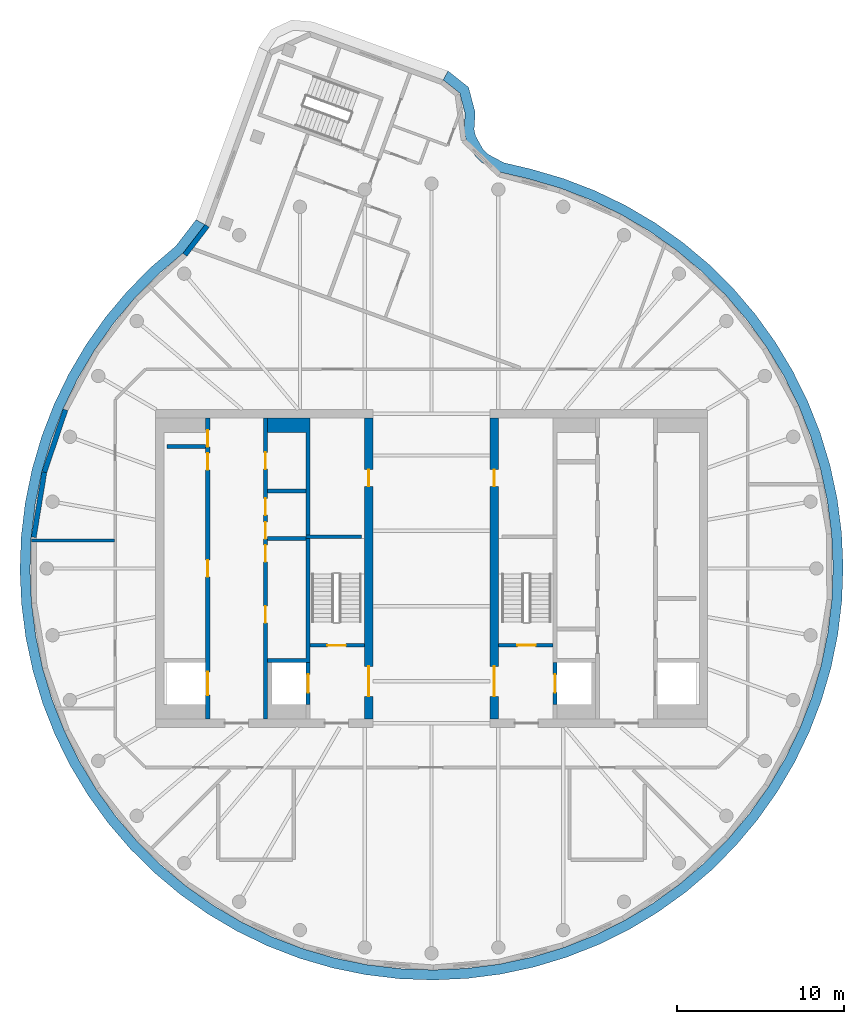
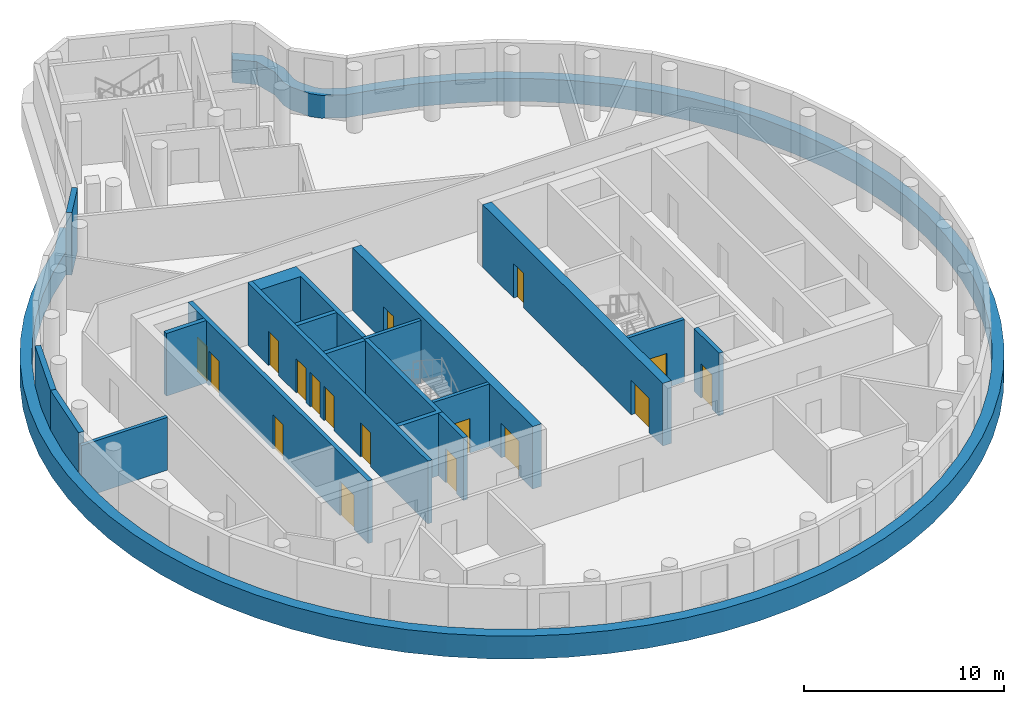
# One storey, part 3 of 7: 17 doors, 17 walls, 1 member, 17 openings.
"""IFC4 building model written with IfcOpenShell, lengths in metres."""

from ifc_helpers import new_model, si_unit, direction, frame, frame_2d, origin, place, context, subcontext, project, spatial, polyline, rectangle, outline, extrude, material, layer, layer_set, type_object, element, fill, aggregate, save


model = new_model("IFC4")

# Units and contexts
model_context = context("Model", 3, precision=1e-05, world=origin(), true_north=direction((0.0, 1.0)))
body_context = subcontext(model_context, "Body", "Model", "MODEL_VIEW")
ifc_project = project(units=[si_unit("LENGTHUNIT", "METRE"), si_unit("AREAUNIT", "SQUARE_METRE"), si_unit("VOLUMEUNIT", "CUBIC_METRE"), si_unit("PLANEANGLEUNIT", "RADIAN"), si_unit("MASSUNIT", "GRAM", prefix="KILO")], contexts=[model_context])

# Member
ifc_material_1 = material(Name="Aluminium and insulated spandrel panel", Category="aluminium")
member_type = type_object("IfcMemberType", Name="Floor-edge blade transom", PredefinedType="USERDEFINED", material=ifc_material_1)
site_placement = place(None, origin())
building_placement = place(site_placement, origin())
storey_placement = place(building_placement, frame((0.0, 0.0, 309.39990234375)))
member_placement = place(storey_placement, origin())
member = element("IfcMember", 1, at=member_placement, type_object=member_type, Name="CWT-L76-02", ObjectType="TRANSOM", PredefinedType="USERDEFINED", context=body_context, shape_type="SweptSolid", body=[
    extrude(outline(polyline([(-13.54248046875, 20.54736328125), (-14.847900390625, 18.848876953125), (-16.327880859375, 17.584228515625), (-17.72412109375, 16.17578125), (-18.99951171875, 14.656982421875), (-20.14501953125, 13.0380859375), (-21.15283203125, 11.329833984375), (-22.01611328125, 9.54443359375), (-22.72900390625, 7.69384765625), (-23.286865234375, 5.79052734375), (-23.685546875, 3.84765625), (-23.92236328125, 1.878662109375), (-23.995849609375, -0.103271484375), (-23.9052734375, -2.08447265625), (-23.6513671875, -4.051513671875), (-23.236083984375, -5.99072265625), (-22.662109375, -7.88916015625), (-21.93310546875, -9.733642578125), (-21.054443359375, -11.511474609375), (-20.031982421875, -13.2109375), (-18.87255859375, -14.820068359375), (-17.584228515625, -16.327880859375), (-16.17578125, -17.72412109375), (-14.656982421875, -18.99951171875), (-13.0380859375, -20.14501953125), (-11.329833984375, -21.15283203125), (-9.54443359375, -22.01611328125), (-7.69384765625, -22.72900390625), (-5.79052734375, -23.286865234375), (-3.84765625, -23.685546875), (-1.878662109375, -23.92236328125), (0.103271484375, -23.995849609375), (2.08447265625, -23.9052734375), (4.051513671875, -23.6513671875), (5.99072265625, -23.236083984375), (7.88916015625, -22.662109375), (9.733642578125, -21.93310546875), (11.511474609375, -21.054443359375), (13.2109375, -20.031982421875), (14.820068359375, -18.87255859375), (16.327880859375, -17.584228515625), (17.72412109375, -16.17578125), (18.99951171875, -14.656982421875), (20.14501953125, -13.0380859375), (21.15283203125, -11.329833984375), (22.01611328125, -9.54443359375), (22.72900390625, -7.69384765625), (23.286865234375, -5.79052734375), (23.685546875, -3.84765625), (23.92236328125, -1.878662109375), (23.995849609375, 0.103271484375), (23.9052734375, 2.08447265625), (23.6513671875, 4.051513671875), (23.236083984375, 5.99072265625), (22.662109375, 7.88916015625), (21.93310546875, 9.733642578125), (21.054443359375, 11.511474609375), (20.031982421875, 13.2109375), (18.87255859375, 14.820068359375), (17.584228515625, 16.327880859375), (16.17578125, 17.72412109375), (14.656982421875, 18.99951171875), (13.0380859375, 20.14501953125), (11.329833984375, 21.15283203125), (9.54443359375, 22.01611328125), (7.69384765625, 22.72900390625), (5.79052734375, 23.286865234375), (4.106689453125, 23.68115234375), (2.99658203125, 24.276123046875), (2.603515625, 24.663330078125), (2.0615234375, 25.6376953125), (1.940185546875, 26.176025390625), (2.004638671875, 27.190673828125), (1.6826171875, 28.412353515625), (0.692626953125, 29.197021484375), (0.9892578125, 29.7275390625), (2.2119140625, 28.75830078125), (2.609619140625, 27.249755859375), (2.54443359375, 26.223876953125), (2.6279296875, 25.85400390625), (3.0859375, 25.0302734375), (3.356201171875, 24.76416015625), (4.3203125, 24.247314453125), (5.943359375, 23.8671875), (7.88623046875, 23.2978515625), (9.783203125, 22.567138671875), (11.613525390625, 21.68212890625), (13.3642578125, 20.64892578125), (15.023681640625, 19.474853515625), (16.580810546875, 18.167724609375), (18.0244140625, 16.736572265625), (19.344970703125, 15.19091796875), (20.533203125, 13.54150390625), (21.581298828125, 11.799560546875), (22.482177734375, 9.97705078125), (23.229248046875, 8.08642578125), (23.817626953125, 6.140625), (24.243408203125, 4.15283203125), (24.50341796875, 2.13671875), (24.59619140625, 0.10595703125), (24.52099609375, -1.925537109375), (24.2783203125, -3.944091796875), (23.86962890625, -5.935302734375), (23.2978515625, -7.88623046875), (22.567138671875, -9.783203125), (21.68212890625, -11.613525390625), (20.64892578125, -13.3642578125), (19.474853515625, -15.023681640625), (18.167724609375, -16.580810546875), (16.736572265625, -18.0244140625), (15.19091796875, -19.344970703125), (13.54150390625, -20.533203125), (11.799560546875, -21.581298828125), (9.97705078125, -22.482177734375), (8.08642578125, -23.229248046875), (6.140625, -23.817626953125), (4.15283203125, -24.243408203125), (2.13671875, -24.50341796875), (0.10595703125, -24.59619140625), (-1.925537109375, -24.52099609375), (-3.944091796875, -24.2783203125), (-5.935302734375, -23.86962890625), (-7.88623046875, -23.2978515625), (-9.783203125, -22.567138671875), (-11.613525390625, -21.68212890625), (-13.3642578125, -20.64892578125), (-15.023681640625, -19.474853515625), (-16.580810546875, -18.167724609375), (-18.0244140625, -16.736572265625), (-19.344970703125, -15.19091796875), (-20.533203125, -13.54150390625), (-21.581298828125, -11.799560546875), (-22.482177734375, -9.97705078125), (-23.229248046875, -8.08642578125), (-23.817626953125, -6.140625), (-24.243408203125, -4.15283203125), (-24.50341796875, -2.13671875), (-24.59619140625, -0.10595703125), (-24.52099609375, 1.925537109375), (-24.2783203125, 3.944091796875), (-23.86962890625, 5.935302734375), (-23.2978515625, 7.88623046875), (-22.567138671875, 9.783203125), (-21.68212890625, 11.613525390625), (-20.64892578125, 13.3642578125), (-19.474853515625, 15.023681640625), (-18.167724609375, 16.580810546875), (-16.736572265625, 18.0244140625), (-15.285400390625, 19.264404296875), (-14.07470703125, 20.839599609375), (-13.54248046875, 20.54736328125)])), origin(), (0.0, 0.0, 1.0), 1.400146484375),
])

# Site, building, storey
site = spatial("IfcSite", under=ifc_project, at=site_placement, CompositionType="ELEMENT")
building = spatial("IfcBuilding", under=site, at=building_placement, Name="Tamarind Cross Interchange Tower", CompositionType="ELEMENT")
storey = spatial("IfcBuildingStorey", under=building, at=storey_placement, Name="L76", CompositionType="ELEMENT", Elevation=309.39990234375)

# Wall, openings, doors
ifc_material_2 = material(Name="Concrete C50", Category="concrete")
ifc_layer_1 = layer(ifc_material_2, 0.5)
ifc_layer_set_1 = layer_set([ifc_layer_1], Name="Concrete C50")
wall_type_1 = type_object("IfcWallType", Name="Core wall 500 mm Concrete C50", PredefinedType="SHEAR", material=ifc_layer_set_1)
wall_1_placement = place(storey_placement, frame((-3.75, -9.0, 0.0), z_axis=(0.0, 0.0, 1.0), x_axis=(0.0, 1.0, 0.0)))
wall_1 = element("IfcWall", 2, at=wall_1_placement, inside=storey, type_object=wall_type_1, Name="Core wall CWL-L76-W-IN", PredefinedType="SHEAR", context=body_context, shape_type="SweptSolid", body=[
    extrude(rectangle(XDim=18.0, YDim=0.5, at=frame_2d((9.0, 0.0))), origin(), (0.0, 0.0, 1.0), 3.820068359375),
])
opening_1_placement = place(wall_1_placement, frame((1.35009765625, 0.0, 0.0)))
opening_1 = element("IfcOpeningElement", 3, at=opening_1_placement, cuts=wall_1, Name="Opening DCW4", PredefinedType="OPENING", context=body_context, shape_type="SweptSolid", body=[
    extrude(rectangle(XDim=1.800048828125, YDim=2.10009765625, at=frame_2d((0.89990234375, 1.050048828125))), frame((0.0, 0.260009765625, 0.0), z_axis=(0.0, -1.0, 0.0), x_axis=(1.0, 0.0, 0.0)), (0.0, 0.0, 1.0), 0.52001953125),
])
opening_2_placement = place(wall_1_placement, frame((13.89990234375, 0.0, 0.0)))
opening_2 = element("IfcOpeningElement", 4, at=opening_2_placement, cuts=wall_1, Name="Opening DCW5", PredefinedType="OPENING", context=body_context, shape_type="SweptSolid", body=[
    extrude(rectangle(XDim=1.0, YDim=2.10009765625, at=frame_2d((0.5, 1.050048828125))), frame((0.0, 0.260009765625, 0.0), z_axis=(0.0, -1.0, 0.0), x_axis=(1.0, 0.0, 0.0)), (0.0, 0.0, 1.0), 0.52001953125),
])
ifc_material_3 = material(Name="Steel, fire-resisting", Category="steel")
door_type_1 = type_object("IfcDoorType", Name="Core fire door 1000 x 2100 FD90", OperationType="SINGLE_SWING_LEFT", PredefinedType="DOOR", material=ifc_material_3)
door_1_placement = place(opening_2_placement, origin())
door_1 = element("IfcDoor", 5, at=door_1_placement, inside=storey, type_object=door_type_1, Name="L76 riser room door", OperationType="SINGLE_SWING_LEFT", OverallHeight=2.10009765625, OverallWidth=1.0, PredefinedType="DOOR", context=body_context, shape_type="SweptSolid", body=[
    extrude(rectangle(XDim=1.0, YDim=2.10009765625, at=frame_2d((0.5, 1.050048828125))), frame((0.0, 0.02490234375, 0.0), z_axis=(0.0, -1.0, 0.0), x_axis=(1.0, 0.0, 0.0)), (0.0, 0.0, 1.0), 0.050048828125),
])
fill(opening_2, door_1)
door_type_2 = type_object("IfcDoorType", Name="Core fire door 1800 x 2100 FD90", OperationType="SINGLE_SWING_LEFT", PredefinedType="DOOR", material=ifc_material_3)
door_2_placement = place(opening_1_placement, origin())
door_2 = element("IfcDoor", 6, at=door_2_placement, inside=storey, type_object=door_type_2, Name="L76 firefighting lobby door", OperationType="SINGLE_SWING_LEFT", OverallHeight=2.10009765625, OverallWidth=1.800048828125, PredefinedType="DOOR", context=body_context, shape_type="SweptSolid", body=[
    extrude(rectangle(XDim=1.800048828125, YDim=2.10009765625, at=frame_2d((0.89990234375, 1.050048828125))), frame((0.0, 0.02490234375, 0.0), z_axis=(0.0, -1.0, 0.0), x_axis=(1.0, 0.0, 0.0)), (0.0, 0.0, 1.0), 0.050048828125),
])
fill(opening_1, door_2)

wall_2_placement = place(storey_placement, frame((3.75, -9.0, 0.0), z_axis=(0.0, 0.0, 1.0), x_axis=(0.0, 1.0, 0.0)))
wall_2 = element("IfcWall", 7, at=wall_2_placement, inside=storey, type_object=wall_type_1, Name="Core wall CWL-L76-E-IN", PredefinedType="SHEAR", context=body_context, shape_type="SweptSolid", body=[
    extrude(rectangle(XDim=18.0, YDim=0.5, at=frame_2d((9.0, 0.0))), origin(), (0.0, 0.0, 1.0), 3.820068359375),
])
opening_3_placement = place(wall_2_placement, frame((1.35009765625, 0.0, 0.0)))
opening_3 = element("IfcOpeningElement", 8, at=opening_3_placement, cuts=wall_2, Name="Opening DCE4", PredefinedType="OPENING", context=body_context, shape_type="SweptSolid", body=[
    extrude(rectangle(XDim=1.800048828125, YDim=2.10009765625, at=frame_2d((0.89990234375, 1.050048828125))), frame((0.0, 0.260009765625, 0.0), z_axis=(0.0, -1.0, 0.0), x_axis=(1.0, 0.0, 0.0)), (0.0, 0.0, 1.0), 0.52001953125),
])
opening_4_placement = place(wall_2_placement, frame((13.89990234375, 0.0, 0.0)))
opening_4 = element("IfcOpeningElement", 9, at=opening_4_placement, cuts=wall_2, Name="Opening DCE5", PredefinedType="OPENING", context=body_context, shape_type="SweptSolid", body=[
    extrude(rectangle(XDim=1.0, YDim=2.10009765625, at=frame_2d((0.5, 1.050048828125))), frame((0.0, 0.260009765625, 0.0), z_axis=(0.0, -1.0, 0.0), x_axis=(1.0, 0.0, 0.0)), (0.0, 0.0, 1.0), 0.52001953125),
])
door_3_placement = place(opening_4_placement, origin())
door_3 = element("IfcDoor", 10, at=door_3_placement, inside=storey, type_object=door_type_1, Name="L76 riser room door", OperationType="SINGLE_SWING_LEFT", OverallHeight=2.10009765625, OverallWidth=1.0, PredefinedType="DOOR", context=body_context, shape_type="SweptSolid", body=[
    extrude(rectangle(XDim=1.0, YDim=2.10009765625, at=frame_2d((0.5, 1.050048828125))), frame((0.0, 0.02490234375, 0.0), z_axis=(0.0, -1.0, 0.0), x_axis=(1.0, 0.0, 0.0)), (0.0, 0.0, 1.0), 0.050048828125),
])
fill(opening_4, door_3)
door_4_placement = place(opening_3_placement, origin())
door_4 = element("IfcDoor", 11, at=door_4_placement, inside=storey, type_object=door_type_2, Name="L76 firefighting lobby door", OperationType="SINGLE_SWING_LEFT", OverallHeight=2.10009765625, OverallWidth=1.800048828125, PredefinedType="DOOR", context=body_context, shape_type="SweptSolid", body=[
    extrude(rectangle(XDim=1.800048828125, YDim=2.10009765625, at=frame_2d((0.89990234375, 1.050048828125))), frame((0.0, 0.02490234375, 0.0), z_axis=(0.0, -1.0, 0.0), x_axis=(1.0, 0.0, 0.0)), (0.0, 0.0, 1.0), 0.050048828125),
])
fill(opening_3, door_4)

# Walls
ifc_layer_2 = layer(ifc_material_2, 0.199951171875)
ifc_layer_set_2 = layer_set([ifc_layer_2], Name="Concrete C50")
wall_type_2 = type_object("IfcWallType", Name="Core web wall 200 mm Concrete C50", PredefinedType="SHEAR", material=ifc_layer_set_2)
wall_3_placement = place(storey_placement, frame((-7.5, 1.89990234375, 0.0), z_axis=(0.0, 0.0, 1.0), x_axis=(1.0, 0.0, 0.0)))
element("IfcWall", 12, at=wall_3_placement, inside=storey, type_object=wall_type_2, Name="Core wall CWL-L76-W-BD", PredefinedType="SHEAR", context=body_context, shape_type="SweptSolid", body=[
    extrude(rectangle(XDim=3.300048828125, YDim=0.199951171875, at=frame_2d((1.64990234375, 0.0))), origin(), (0.0, 0.0, 1.0), 3.820068359375),
])
ifc_layer_3 = layer(ifc_material_2, 0.25)
ifc_layer_set_3 = layer_set([ifc_layer_3], Name="Concrete C50")
wall_type_3 = type_object("IfcWallType", Name="Core web wall 250 mm Concrete C50", PredefinedType="SHEAR", material=ifc_layer_set_3)
wall_4_placement = place(storey_placement, origin())
element("IfcWall", 13, at=wall_4_placement, inside=storey, type_object=wall_type_3, Name="Core wall CWL-L76-W-BN", PredefinedType="SHEAR", context=body_context, shape_type="SweptSolid", body=[
    extrude(outline(polyline([(-9.800048828125, -5.625), (-7.5, -5.625), (-7.25, -5.625), (-7.25, 9.0), (-7.5, 9.0), (-9.800048828125, 9.0), (-9.800048828125, 8.125), (-7.5, 8.125), (-7.5, -5.375), (-9.800048828125, -5.375), (-9.800048828125, -5.625)])), origin(), (0.0, 0.0, 1.0), 3.820068359375),
])

# Wall, openings, doors
wall_5_placement = place(storey_placement, frame((-13.375, -9.0, 0.0), z_axis=(0.0, 0.0, 1.0), x_axis=(0.0, 1.0, 0.0)))
wall_5 = element("IfcWall", 14, at=wall_5_placement, inside=storey, type_object=wall_type_3, Name="Core wall CWL-L76-W-LA", PredefinedType="SHEAR", context=body_context, shape_type="SweptSolid", body=[
    extrude(rectangle(XDim=18.0, YDim=0.25, at=frame_2d((9.0, 0.0))), origin(), (0.0, 0.0, 1.0), 3.820068359375),
])
opening_5_placement = place(wall_5_placement, frame((1.425048828125, 0.0, 0.0)))
opening_5 = element("IfcOpeningElement", 15, at=opening_5_placement, cuts=wall_5, Name="Opening LD1L76", PredefinedType="OPENING", context=body_context, shape_type="SweptSolid", body=[
    extrude(rectangle(XDim=1.39990234375, YDim=2.10009765625, at=frame_2d((0.699951171875, 1.050048828125))), frame((0.0, 0.135009765625, 0.0), z_axis=(0.0, -1.0, 0.0), x_axis=(1.0, 0.0, 0.0)), (0.0, 0.0, 1.0), 0.27001953125),
])
opening_6_placement = place(wall_5_placement, frame((8.5, 0.0, 0.0)))
opening_6 = element("IfcOpeningElement", 16, at=opening_6_placement, cuts=wall_5, Name="Opening DCW9", PredefinedType="OPENING", context=body_context, shape_type="SweptSolid", body=[
    extrude(rectangle(XDim=1.0, YDim=2.10009765625, at=frame_2d((0.5, 1.050048828125))), frame((0.0, 0.135009765625, 0.0), z_axis=(0.0, -1.0, 0.0), x_axis=(1.0, 0.0, 0.0)), (0.0, 0.0, 1.0), 0.27001953125),
])
opening_7_placement = place(wall_5_placement, frame((14.89599609375, 0.0, 0.0)))
opening_7 = element("IfcOpeningElement", 17, at=opening_7_placement, cuts=wall_5, Name="Opening DCW17", PredefinedType="OPENING", context=body_context, shape_type="SweptSolid", body=[
    extrude(rectangle(XDim=1.0, YDim=2.10009765625, at=frame_2d((0.5, 1.050048828125))), frame((0.0, 0.135009765625, 0.0), z_axis=(0.0, -1.0, 0.0), x_axis=(1.0, 0.0, 0.0)), (0.0, 0.0, 1.0), 0.27001953125),
])
opening_8_placement = place(wall_5_placement, frame((16.27099609375, 0.0, 0.0)))
opening_8 = element("IfcOpeningElement", 18, at=opening_8_placement, cuts=wall_5, Name="Opening DCW18", PredefinedType="OPENING", context=body_context, shape_type="SweptSolid", body=[
    extrude(rectangle(XDim=1.0, YDim=2.10009765625, at=frame_2d((0.5, 1.050048828125))), frame((0.0, 0.135009765625, 0.0), z_axis=(0.0, -1.0, 0.0), x_axis=(1.0, 0.0, 0.0)), (0.0, 0.0, 1.0), 0.27001953125),
])
door_5_placement = place(opening_6_placement, origin())
door_5 = element("IfcDoor", 19, at=door_5_placement, inside=storey, type_object=door_type_1, Name="L76 Pump room door", OperationType="SINGLE_SWING_LEFT", OverallHeight=2.10009765625, OverallWidth=1.0, PredefinedType="DOOR", context=body_context, shape_type="SweptSolid", body=[
    extrude(rectangle(XDim=1.0, YDim=2.10009765625, at=frame_2d((0.5, 1.050048828125))), frame((0.0, 0.02490234375, 0.0), z_axis=(0.0, -1.0, 0.0), x_axis=(1.0, 0.0, 0.0)), (0.0, 0.0, 1.0), 0.050048828125),
])
fill(opening_6, door_5)
door_6_placement = place(opening_7_placement, origin())
door_6 = element("IfcDoor", 20, at=door_6_placement, inside=storey, type_object=door_type_1, Name="L76 Switch room door", OperationType="SINGLE_SWING_LEFT", OverallHeight=2.10009765625, OverallWidth=1.0, PredefinedType="DOOR", context=body_context, shape_type="SweptSolid", body=[
    extrude(rectangle(XDim=1.0, YDim=2.10009765625, at=frame_2d((0.5, 1.050048828125))), frame((0.0, 0.02490234375, 0.0), z_axis=(0.0, -1.0, 0.0), x_axis=(1.0, 0.0, 0.0)), (0.0, 0.0, 1.0), 0.050048828125),
])
fill(opening_7, door_6)
door_7_placement = place(opening_8_placement, origin())
door_7 = element("IfcDoor", 21, at=door_7_placement, inside=storey, type_object=door_type_1, Name="L76 Pump room door", OperationType="SINGLE_SWING_LEFT", OverallHeight=2.10009765625, OverallWidth=1.0, PredefinedType="DOOR", context=body_context, shape_type="SweptSolid", body=[
    extrude(rectangle(XDim=1.0, YDim=2.10009765625, at=frame_2d((0.5, 1.050048828125))), frame((0.0, 0.02490234375, 0.0), z_axis=(0.0, -1.0, 0.0), x_axis=(1.0, 0.0, 0.0)), (0.0, 0.0, 1.0), 0.050048828125),
])
fill(opening_8, door_7)
ifc_material_4 = material(Name="Stainless steel panel", Category="steel")
door_type_3 = type_object("IfcDoorType", Name="Lift landing door 1400 x 2100 E 120", OperationType="SLIDING_TO_LEFT", PredefinedType="DOOR", material=ifc_material_4)
door_8_placement = place(opening_5_placement, origin())
door_8 = element("IfcDoor", 22, at=door_8_placement, inside=storey, type_object=door_type_3, Name="L76 landing door LF1", OperationType="SLIDING_TO_LEFT", OverallHeight=2.10009765625, OverallWidth=1.39990234375, PredefinedType="DOOR", context=body_context, shape_type="SweptSolid", body=[
    extrude(rectangle(XDim=1.39990234375, YDim=2.10009765625, at=frame_2d((0.699951171875, 1.050048828125))), frame((0.0, 0.02490234375, 0.0), z_axis=(0.0, -1.0, 0.0), x_axis=(1.0, 0.0, 0.0)), (0.0, 0.0, 1.0), 0.050048828125),
])
fill(opening_5, door_8)

wall_6_placement = place(storey_placement, frame((-9.925048828125, -9.0, 0.0), z_axis=(0.0, 0.0, 1.0), x_axis=(0.0, 1.0, 0.0)))
wall_6 = element("IfcWall", 23, at=wall_6_placement, inside=storey, type_object=wall_type_3, Name="Core wall CWL-L76-W-LB", PredefinedType="SHEAR", context=body_context, shape_type="SweptSolid", body=[
    extrude(rectangle(XDim=18.0, YDim=0.25, at=frame_2d((9.0, 0.0))), origin(), (0.0, 0.0, 1.0), 3.820068359375),
])
opening_9_placement = place(wall_6_placement, frame((5.75, 0.0, 0.0)))
opening_9 = element("IfcOpeningElement", 24, at=opening_9_placement, cuts=wall_6, Name="Opening DCW21", PredefinedType="OPENING", context=body_context, shape_type="SweptSolid", body=[
    extrude(rectangle(XDim=1.0, YDim=2.10009765625, at=frame_2d((0.5, 1.050048828125))), frame((0.0, 0.135009765625, 0.0), z_axis=(0.0, -1.0, 0.0), x_axis=(1.0, 0.0, 0.0)), (0.0, 0.0, 1.0), 0.27001953125),
])
opening_10_placement = place(wall_6_placement, frame((9.39599609375, 0.0, 0.0)))
opening_10 = element("IfcOpeningElement", 25, at=opening_10_placement, cuts=wall_6, Name="Opening DCW21", PredefinedType="OPENING", context=body_context, shape_type="SweptSolid", body=[
    extrude(rectangle(XDim=1.0, YDim=2.10009765625, at=frame_2d((0.5, 1.050048828125))), frame((0.0, 0.135009765625, 0.0), z_axis=(0.0, -1.0, 0.0), x_axis=(1.0, 0.0, 0.0)), (0.0, 0.0, 1.0), 0.27001953125),
])
opening_11_placement = place(wall_6_placement, frame((10.77099609375, 0.0, 0.0)))
opening_11 = element("IfcOpeningElement", 26, at=opening_11_placement, cuts=wall_6, Name="Opening DCW22", PredefinedType="OPENING", context=body_context, shape_type="SweptSolid", body=[
    extrude(rectangle(XDim=1.0, YDim=2.10009765625, at=frame_2d((0.5, 1.050048828125))), frame((0.0, 0.135009765625, 0.0), z_axis=(0.0, -1.0, 0.0), x_axis=(1.0, 0.0, 0.0)), (0.0, 0.0, 1.0), 0.27001953125),
])
opening_12_placement = place(wall_6_placement, frame((12.1875, 0.0, 0.0)))
opening_12 = element("IfcOpeningElement", 27, at=opening_12_placement, cuts=wall_6, Name="Opening DCW21", PredefinedType="OPENING", context=body_context, shape_type="SweptSolid", body=[
    extrude(rectangle(XDim=1.0, YDim=2.10009765625, at=frame_2d((0.5, 1.050048828125))), frame((0.0, 0.135009765625, 0.0), z_axis=(0.0, -1.0, 0.0), x_axis=(1.0, 0.0, 0.0)), (0.0, 0.0, 1.0), 0.27001953125),
])
opening_13_placement = place(wall_6_placement, frame((14.9375, 0.0, 0.0)))
opening_13 = element("IfcOpeningElement", 28, at=opening_13_placement, cuts=wall_6, Name="Opening DCW22", PredefinedType="OPENING", context=body_context, shape_type="SweptSolid", body=[
    extrude(rectangle(XDim=1.0, YDim=2.10009765625, at=frame_2d((0.5, 1.050048828125))), frame((0.0, 0.135009765625, 0.0), z_axis=(0.0, -1.0, 0.0), x_axis=(1.0, 0.0, 0.0)), (0.0, 0.0, 1.0), 0.27001953125),
])
door_9_placement = place(opening_9_placement, origin())
door_9 = element("IfcDoor", 29, at=door_9_placement, inside=storey, type_object=door_type_1, Name="L76 Storage room door", OperationType="SINGLE_SWING_LEFT", OverallHeight=2.10009765625, OverallWidth=1.0, PredefinedType="DOOR", context=body_context, shape_type="SweptSolid", body=[
    extrude(rectangle(XDim=1.0, YDim=2.10009765625, at=frame_2d((0.5, 1.050048828125))), frame((0.0, 0.02490234375, 0.0), z_axis=(0.0, -1.0, 0.0), x_axis=(1.0, 0.0, 0.0)), (0.0, 0.0, 1.0), 0.050048828125),
])
fill(opening_9, door_9)
door_10_placement = place(opening_10_placement, origin())
door_10 = element("IfcDoor", 30, at=door_10_placement, inside=storey, type_object=door_type_1, Name="L76 Battery room door", OperationType="SINGLE_SWING_LEFT", OverallHeight=2.10009765625, OverallWidth=1.0, PredefinedType="DOOR", context=body_context, shape_type="SweptSolid", body=[
    extrude(rectangle(XDim=1.0, YDim=2.10009765625, at=frame_2d((0.5, 1.050048828125))), frame((0.0, 0.02490234375, 0.0), z_axis=(0.0, -1.0, 0.0), x_axis=(1.0, 0.0, 0.0)), (0.0, 0.0, 1.0), 0.050048828125),
])
fill(opening_10, door_10)
door_11_placement = place(opening_11_placement, origin())
door_11 = element("IfcDoor", 31, at=door_11_placement, inside=storey, type_object=door_type_1, Name="L76 Switch room door", OperationType="SINGLE_SWING_LEFT", OverallHeight=2.10009765625, OverallWidth=1.0, PredefinedType="DOOR", context=body_context, shape_type="SweptSolid", body=[
    extrude(rectangle(XDim=1.0, YDim=2.10009765625, at=frame_2d((0.5, 1.050048828125))), frame((0.0, 0.02490234375, 0.0), z_axis=(0.0, -1.0, 0.0), x_axis=(1.0, 0.0, 0.0)), (0.0, 0.0, 1.0), 0.050048828125),
])
fill(opening_11, door_11)
door_12_placement = place(opening_12_placement, origin())
door_12 = element("IfcDoor", 32, at=door_12_placement, inside=storey, type_object=door_type_1, Name="L76 Plant room door", OperationType="SINGLE_SWING_LEFT", OverallHeight=2.10009765625, OverallWidth=1.0, PredefinedType="DOOR", context=body_context, shape_type="SweptSolid", body=[
    extrude(rectangle(XDim=1.0, YDim=2.10009765625, at=frame_2d((0.5, 1.050048828125))), frame((0.0, 0.02490234375, 0.0), z_axis=(0.0, -1.0, 0.0), x_axis=(1.0, 0.0, 0.0)), (0.0, 0.0, 1.0), 0.050048828125),
])
fill(opening_12, door_12)
door_13_placement = place(opening_13_placement, origin())
door_13 = element("IfcDoor", 33, at=door_13_placement, inside=storey, type_object=door_type_1, Name="L76 Storage room door", OperationType="SINGLE_SWING_LEFT", OverallHeight=2.10009765625, OverallWidth=1.0, PredefinedType="DOOR", context=body_context, shape_type="SweptSolid", body=[
    extrude(rectangle(XDim=1.0, YDim=2.10009765625, at=frame_2d((0.5, 1.050048828125))), frame((0.0, 0.02490234375, 0.0), z_axis=(0.0, -1.0, 0.0), x_axis=(1.0, 0.0, 0.0)), (0.0, 0.0, 1.0), 0.050048828125),
])
fill(opening_13, door_13)

# Wall, opening, door
wall_7_placement = place(storey_placement, frame((-7.375, -8.125, 0.0), z_axis=(0.0, 0.0, 1.0), x_axis=(0.0, 1.0, 0.0)))
wall_7 = element("IfcWall", 34, at=wall_7_placement, inside=storey, type_object=wall_type_3, Name="Core wall CWL-L76-W-FF", PredefinedType="SHEAR", context=body_context, shape_type="SweptSolid", body=[
    extrude(rectangle(XDim=2.5, YDim=0.25, at=frame_2d((1.25, 0.0))), origin(), (0.0, 0.0, 1.0), 3.820068359375),
])
opening_14_placement = place(wall_7_placement, frame((0.699951171875, 0.0, 0.0)))
opening_14 = element("IfcOpeningElement", 35, at=opening_14_placement, cuts=wall_7, Name="Opening LD7L76", PredefinedType="OPENING", context=body_context, shape_type="SweptSolid", body=[
    extrude(rectangle(XDim=1.10009765625, YDim=2.10009765625, at=frame_2d((0.550048828125, 1.050048828125))), frame((0.0, 0.135009765625, 0.0), z_axis=(0.0, -1.0, 0.0), x_axis=(1.0, 0.0, 0.0)), (0.0, 0.0, 1.0), 0.27001953125),
])
door_type_4 = type_object("IfcDoorType", Name="Lift landing door 1100 x 2100 E 120", OperationType="SLIDING_TO_LEFT", PredefinedType="DOOR", material=ifc_material_4)
door_14_placement = place(opening_14_placement, origin())
door_14 = element("IfcDoor", 36, at=door_14_placement, inside=storey, type_object=door_type_4, Name="L76 landing door LF7", OperationType="SLIDING_TO_LEFT", OverallHeight=2.10009765625, OverallWidth=1.10009765625, PredefinedType="DOOR", context=body_context, shape_type="SweptSolid", body=[
    extrude(rectangle(XDim=1.10009765625, YDim=2.10009765625, at=frame_2d((0.550048828125, 1.050048828125))), frame((0.0, 0.02490234375, 0.0), z_axis=(0.0, -1.0, 0.0), x_axis=(1.0, 0.0, 0.0)), (0.0, 0.0, 1.0), 0.050048828125),
])
fill(opening_14, door_14)

wall_8_placement = place(storey_placement, frame((7.375, -8.125, 0.0), z_axis=(0.0, 0.0, 1.0), x_axis=(0.0, 1.0, 0.0)))
wall_8 = element("IfcWall", 37, at=wall_8_placement, inside=storey, type_object=wall_type_3, Name="Core wall CWL-L76-E-FF", PredefinedType="SHEAR", context=body_context, shape_type="SweptSolid", body=[
    extrude(rectangle(XDim=2.5, YDim=0.25, at=frame_2d((1.25, 0.0))), origin(), (0.0, 0.0, 1.0), 3.820068359375),
])
opening_15_placement = place(wall_8_placement, frame((0.699951171875, 0.0, 0.0)))
opening_15 = element("IfcOpeningElement", 38, at=opening_15_placement, cuts=wall_8, Name="Opening LD19L76", PredefinedType="OPENING", context=body_context, shape_type="SweptSolid", body=[
    extrude(rectangle(XDim=1.10009765625, YDim=2.10009765625, at=frame_2d((0.550048828125, 1.050048828125))), frame((0.0, 0.135009765625, 0.0), z_axis=(0.0, -1.0, 0.0), x_axis=(1.0, 0.0, 0.0)), (0.0, 0.0, 1.0), 0.27001953125),
])
door_15_placement = place(opening_15_placement, origin())
door_15 = element("IfcDoor", 39, at=door_15_placement, inside=storey, type_object=door_type_4, Name="L76 landing door LF19", OperationType="SLIDING_TO_LEFT", OverallHeight=2.10009765625, OverallWidth=1.10009765625, PredefinedType="DOOR", context=body_context, shape_type="SweptSolid", body=[
    extrude(rectangle(XDim=1.10009765625, YDim=2.10009765625, at=frame_2d((0.550048828125, 1.050048828125))), frame((0.0, 0.02490234375, 0.0), z_axis=(0.0, -1.0, 0.0), x_axis=(1.0, 0.0, 0.0)), (0.0, 0.0, 1.0), 0.050048828125),
])
fill(opening_15, door_15)

# Wall
ifc_material_5 = material(Name="Gypsum board partition on steel studs", Category="steel")
ifc_layer_4 = layer(ifc_material_5, 0.199951171875)
ifc_layer_set_4 = layer_set([ifc_layer_4], Name="Gypsum board partition on steel studs")
wall_type_4 = type_object("IfcWallType", Name="Partition 200 mm EI 180", PredefinedType="PARTITIONING", material=ifc_layer_set_4)
wall_9_placement = place(storey_placement, frame((-23.9208984375, 1.674072265625, 0.0), z_axis=(0.0, 0.0, 1.0), x_axis=(1.0, 0.0, 0.0)))
element("IfcWall", 40, at=wall_9_placement, inside=storey, type_object=wall_type_4, Name="Partition L76-012", PredefinedType="PARTITIONING", context=body_context, shape_type="SweptSolid", body=[
    extrude(rectangle(XDim=4.9658203125, YDim=0.199951171875, at=frame_2d((2.48291015625, 0.0))), origin(), (0.0, 0.0, 1.0), 3.22021484375),
])

ifc_material_6 = material(Name="Precast concrete C40", Category="concrete")
ifc_layer_5 = layer(ifc_material_6, 0.300048828125)
ifc_layer_set_5 = layer_set([ifc_layer_5], Name="Precast concrete C40")
wall_type_5 = type_object("IfcWallType", Name="Plant louvre wall", PredefinedType="SOLIDWALL", material=ifc_layer_set_5)
wall_10_placement = place(storey_placement, frame((-13.409423828125, 20.474365234375, 0.0), z_axis=(0.0, 0.0, 1.0), x_axis=(-0.609396950442, -0.792865282877, 0.0)))
wall_10 = element("IfcWall", 41, at=wall_10_placement, inside=storey, type_object=wall_type_5, Name="EXW-L76-02-00", PredefinedType="SOLIDWALL", context=body_context, shape_type="SweptSolid", body=[
    extrude(rectangle(XDim=2.180908203125, YDim=0.300048828125, at=frame_2d((1.09033203125, 0.0))), origin(), (0.0, 0.0, 1.0), 3.820068359375),
])

aggregate(wall_10, [member])

# Walls
wall_11_placement = place(storey_placement, frame((-21.87841796875, 9.484619140625, 0.0), z_axis=(0.0, 0.0, 1.0), x_axis=(-0.320613287718, -0.947210177172, 0.0)))
element("IfcWall", 42, at=wall_11_placement, inside=storey, type_object=wall_type_5, Name="EXW-L76-02-04", PredefinedType="SOLIDWALL", context=body_context, shape_type="SweptSolid", body=[
    extrude(rectangle(XDim=3.9384765625, YDim=0.300048828125, at=frame_2d((1.96923828125, 0.0))), origin(), (0.0, 0.0, 1.0), 3.820068359375),
])
wall_12_placement = place(storey_placement, frame((-23.14111328125, 5.754150390625, 0.0), z_axis=(0.0, 0.0, 1.0), x_axis=(-0.160376439891, -0.987055924215, 0.0)))
element("IfcWall", 43, at=wall_12_placement, inside=storey, type_object=wall_type_5, Name="EXW-L76-02-05", PredefinedType="SOLIDWALL", context=body_context, shape_type="SweptSolid", body=[
    extrude(rectangle(XDim=3.938232421875, YDim=0.300048828125, at=frame_2d((1.96923828125, 0.0))), origin(), (0.0, 0.0, 1.0), 3.820068359375),
])
ifc_material_7 = material(Name="Concrete C40", Category="concrete")
ifc_layer_6 = layer(ifc_material_7, 0.25)
ifc_layer_set_6 = layer_set([ifc_layer_6], Name="Concrete C40")
wall_type_6 = type_object("IfcWallType", Name="Shaft and lobby wall 250 mm Concrete C40", PredefinedType="PARTITIONING", material=ifc_layer_set_6)
for number, where, z_axis, x_axis, name in (
    (44, (-15.800048828125, 7.2919921875, 0.0), (0.0, 0.0, 1.0), (1.0, 0.0, 0.0), "Shaft wall CWL-L76-W-FPA5"),
    (45, (-9.800048828125, 1.7919921875, 0.0), (0.0, 0.0, 1.0), (1.0, 0.0, 0.0), "Shaft wall CWL-L76-W-FPB3"),
    (46, (-9.800048828125, 4.625, 0.0), (0.0, 0.0, 1.0), (1.0, 0.0, 0.0), "Shaft wall CWL-L76-W-FPB4"),
):
    element("IfcWall", number, at=place(storey_placement, frame(where, z_axis=z_axis, x_axis=x_axis)), inside=storey, type_object=wall_type_6, Name=name, PredefinedType="PARTITIONING", context=body_context, shape_type="SweptSolid", body=[
        extrude(rectangle(XDim=2.300048828125, YDim=0.25, at=frame_2d((1.14990234375, 0.0))), origin(), (0.0, 0.0, 1.0), 3.820068359375),
    ])

# Wall, opening, door
ifc_layer_7 = layer(ifc_material_7, 0.199951171875)
ifc_layer_set_7 = layer_set([ifc_layer_7], Name="Concrete C40")
wall_type_7 = type_object("IfcWallType", Name="Stair shaft wall 200 mm Concrete C40", PredefinedType="SHEAR", material=ifc_layer_set_7)
wall_13_placement = place(storey_placement, frame((-7.25, -4.60009765625, 0.0), z_axis=(0.0, 0.0, 1.0), x_axis=(1.0, 0.0, 0.0)))
wall_13 = element("IfcWall", 47, at=wall_13_placement, inside=storey, type_object=wall_type_7, Name="Core wall CWL-L76-W-SD", PredefinedType="SHEAR", context=body_context, shape_type="SweptSolid", body=[
    extrude(rectangle(XDim=3.25, YDim=0.199951171875, at=frame_2d((1.625, 0.0))), origin(), (0.0, 0.0, 1.0), 3.820068359375),
])
opening_16_placement = place(wall_13_placement, frame((1.02490234375, 0.0, 0.0)))
opening_16 = element("IfcOpeningElement", 48, at=opening_16_placement, cuts=wall_13, Name="Opening DCW6", PredefinedType="OPENING", context=body_context, shape_type="SweptSolid", body=[
    extrude(rectangle(XDim=1.10009765625, YDim=2.10009765625, at=frame_2d((0.550048828125, 1.050048828125))), frame((0.0, 0.10986328125, 0.0), z_axis=(0.0, -1.0, 0.0), x_axis=(1.0, 0.0, 0.0)), (0.0, 0.0, 1.0), 0.219970703125),
])
door_type_5 = type_object("IfcDoorType", Name="Core fire door 1100 x 2100 FD90", OperationType="SINGLE_SWING_LEFT", PredefinedType="DOOR", material=ifc_material_3)
door_16_placement = place(opening_16_placement, origin())
door_16 = element("IfcDoor", 49, at=door_16_placement, inside=storey, type_object=door_type_5, Name="L76 stair door", OperationType="SINGLE_SWING_LEFT", OverallHeight=2.10009765625, OverallWidth=1.10009765625, PredefinedType="DOOR", context=body_context, shape_type="SweptSolid", body=[
    extrude(rectangle(XDim=1.10009765625, YDim=2.10009765625, at=frame_2d((0.550048828125, 1.050048828125))), frame((0.0, 0.02490234375, 0.0), z_axis=(0.0, -1.0, 0.0), x_axis=(1.0, 0.0, 0.0)), (0.0, 0.0, 1.0), 0.050048828125),
])
fill(opening_16, door_16)

wall_14_placement = place(storey_placement, frame((7.25, -4.60009765625, 0.0), z_axis=(0.0, 0.0, 1.0), x_axis=(-1.0, 0.0, 0.0)))
wall_14 = element("IfcWall", 50, at=wall_14_placement, inside=storey, type_object=wall_type_7, Name="Core wall CWL-L76-E-SD", PredefinedType="SHEAR", context=body_context, shape_type="SweptSolid", body=[
    extrude(rectangle(XDim=3.25, YDim=0.199951171875, at=frame_2d((1.625, 0.0))), origin(), (0.0, 0.0, 1.0), 3.820068359375),
])
opening_17_placement = place(wall_14_placement, frame((1.02490234375, 0.0, 0.0)))
opening_17 = element("IfcOpeningElement", 51, at=opening_17_placement, cuts=wall_14, Name="Opening DCE6", PredefinedType="OPENING", context=body_context, shape_type="SweptSolid", body=[
    extrude(rectangle(XDim=1.10009765625, YDim=2.10009765625, at=frame_2d((0.550048828125, 1.050048828125))), frame((0.0, 0.10986328125, 0.0), z_axis=(0.0, -1.0, 0.0), x_axis=(1.0, 0.0, 0.0)), (0.0, 0.0, 1.0), 0.219970703125),
])
door_17_placement = place(opening_17_placement, origin())
door_17 = element("IfcDoor", 52, at=door_17_placement, inside=storey, type_object=door_type_5, Name="L76 stair door", OperationType="SINGLE_SWING_LEFT", OverallHeight=2.10009765625, OverallWidth=1.10009765625, PredefinedType="DOOR", context=body_context, shape_type="SweptSolid", body=[
    extrude(rectangle(XDim=1.10009765625, YDim=2.10009765625, at=frame_2d((0.550048828125, 1.050048828125))), frame((0.0, 0.02490234375, 0.0), z_axis=(0.0, -1.0, 0.0), x_axis=(1.0, 0.0, 0.0)), (0.0, 0.0, 1.0), 0.050048828125),
])
fill(opening_17, door_17)

save(model, "model.ifc")
